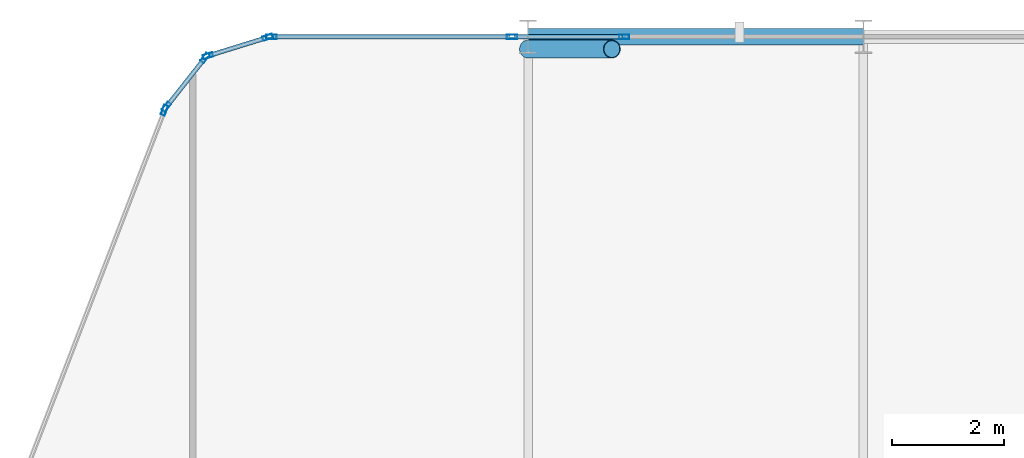
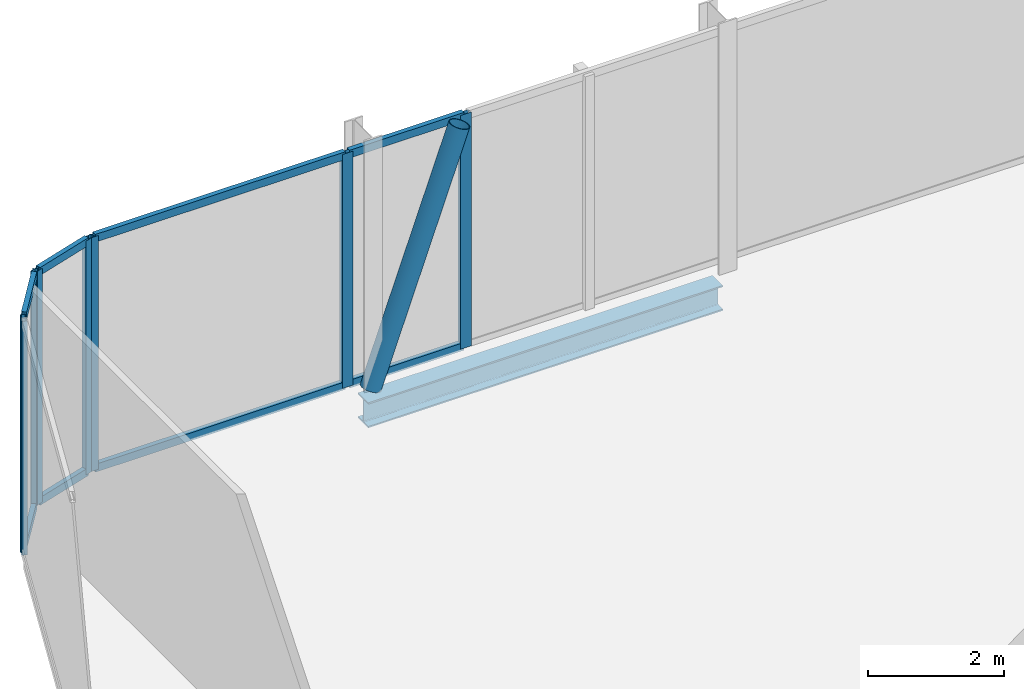
# One storey, part 16 of 31: 17 members, 1 beam, 5 elements without a shape of their own.
"""IFC4 building model written with IfcOpenShell, lengths in metres."""

from ifc_helpers import new_model, si_unit, direction, frame, origin, origin_2d, place, context, subcontext, project, spatial, hollow_rectangle, hollow_circle, i_section, extrude, material, layer, layer_set, material_profile, profile_set, type_object, element, aggregate, save


model = new_model("IFC4")

# Units and contexts
model_context = context("Model", 3, precision=1e-05, world=origin(), true_north=direction((0.0, 1.0)))
body_context = subcontext(model_context, "Body", "Model", "MODEL_VIEW")
ifc_project = project(units=[si_unit("LENGTHUNIT", "METRE"), si_unit("AREAUNIT", "SQUARE_METRE"), si_unit("VOLUMEUNIT", "CUBIC_METRE"), si_unit("PLANEANGLEUNIT", "RADIAN"), si_unit("MASSUNIT", "GRAM", prefix="KILO")], contexts=[model_context])

# Site, building, storey
site_placement = place(None, origin())
site = spatial("IfcSite", under=ifc_project, at=site_placement, CompositionType="ELEMENT")
building_placement = place(site_placement, origin())
building = spatial("IfcBuilding", under=site, at=building_placement, Name="Keshet Zoharim Tower", CompositionType="ELEMENT")
storey_placement = place(building_placement, frame((0.0, 0.0, 125.300048828125)))
storey = spatial("IfcBuildingStorey", under=building, at=storey_placement, Name="L30", CompositionType="ELEMENT", Elevation=125.300048828125)

# Beam
ifc_material_1 = material(Name="Steel S355", Category="steel")
ifc_material_profile_1 = material_profile(ifc_material_1, i_section(OverallWidth=0.300048828125, OverallDepth=0.449951171875, WebThickness=0.013916015625, FlangeThickness=0.02587890625, FilletRadius=0.027099609375, at=origin_2d()), Name="HEB450")
ifc_profile_set_1 = profile_set([ifc_material_profile_1], Name="Steel S355")
beam_type = type_object("IfcBeamType", Name="BM-WEB-HB450", PredefinedType="BEAM", material=ifc_profile_set_1)
beam_placement = place(storey_placement, frame((21.0, 53.89990234375, -0.545166015625), z_axis=(1.0, 0.0, 0.0), x_axis=(0.0, 1.0, 0.0)))
element("IfcBeam", 1, at=beam_placement, inside=storey, type_object=beam_type, Name="L30 Primary Girder X-019", PredefinedType="BEAM", context=body_context, shape_type="SweptSolid", body=[
    extrude(i_section(OverallWidth=0.300048828125, OverallDepth=0.449951171875, WebThickness=0.013916015625, FlangeThickness=0.02587890625, FilletRadius=0.027099609375, at=origin_2d()), origin(), (0.0, 0.0, 1.0), 6.0),
])

# Curtain wall, member
ifc_material_2 = material(Name="Aluminium 6063-T6", Category="aluminium")
ifc_layer = layer(ifc_material_2, 0.14990234375)
ifc_layer_set = layer_set([ifc_layer], Name="Aluminium 6063-T6")
curtain_wall_type = type_object("IfcCurtainWallType", Name="CW-SYS-04", PredefinedType="NOTDEFINED", material=ifc_layer_set)
curtain_wall_1_placement = place(storey_placement, origin())
curtain_wall_1 = element("IfcCurtainWall", 2, at=curtain_wall_1_placement, inside=storey, type_object=curtain_wall_type, Name="L30 Unitised Curtain Wall 16", PredefinedType="NOTDEFINED")
ifc_material_profile_2 = material_profile(ifc_material_2, hollow_rectangle(XDim=0.080078125, YDim=0.179931640625, WallThickness=0.00439453125, at=origin_2d()), Name="MUL-80x180")
ifc_profile_set_2 = profile_set([ifc_material_profile_2], Name="Aluminium 6063-T6")
member_type_1 = type_object("IfcMemberType", Name="CWM-M18", PredefinedType="MULLION", material=ifc_profile_set_2)
member_1_placement = place(storey_placement, frame((14.494384765625, 52.58544921875, 0.0), z_axis=(0.0, 0.0, 1.0), x_axis=(-0.933341404361, 0.358990003907, 0.0)))
member_1 = element("IfcMember", 3, at=member_1_placement, type_object=member_type_1, Name="CW-04 mullion 4", PredefinedType="MULLION", context=body_context, shape_type="SweptSolid", body=[
    extrude(hollow_rectangle(XDim=0.080078125, YDim=0.179931640625, WallThickness=0.00439453125, at=origin_2d()), origin(), (0.0, 0.0, 1.0), 4.18505859375),
])
aggregate(curtain_wall_1, [member_1])

# Curtain wall, members
curtain_wall_2_placement = place(storey_placement, origin())
curtain_wall_2 = element("IfcCurtainWall", 4, at=curtain_wall_2_placement, inside=storey, type_object=curtain_wall_type, Name="L30 Unitised Curtain Wall 17", PredefinedType="NOTDEFINED")
member_2_placement = place(storey_placement, frame((14.528564453125, 52.6455078125, 0.0), z_axis=(0.0, 0.0, 1.0), x_axis=(-0.785292825205, 0.619124525989, 0.0)))
member_2 = element("IfcMember", 5, at=member_2_placement, type_object=member_type_1, Name="CW-04 mullion 1", PredefinedType="MULLION", context=body_context, shape_type="SweptSolid", body=[
    extrude(hollow_rectangle(XDim=0.080078125, YDim=0.179931640625, WallThickness=0.00439453125, at=origin_2d()), origin(), (0.0, 0.0, 1.0), 4.18505859375),
])
member_3_placement = place(storey_placement, frame((15.21923828125, 53.521484375, 0.0), z_axis=(0.0, 0.0, 1.0), x_axis=(-0.785292825205, 0.619124525989, 0.0)))
member_3 = element("IfcMember", 6, at=member_3_placement, type_object=member_type_1, Name="CW-04 mullion 2", PredefinedType="MULLION", context=body_context, shape_type="SweptSolid", body=[
    extrude(hollow_rectangle(XDim=0.080078125, YDim=0.179931640625, WallThickness=0.00439453125, at=origin_2d()), origin(), (0.0, 0.0, 1.0), 4.18505859375),
])

curtain_wall_3_placement = place(storey_placement, origin())
curtain_wall_3 = element("IfcCurtainWall", 7, at=curtain_wall_3_placement, inside=storey, type_object=curtain_wall_type, Name="L30 Unitised Curtain Wall 18", PredefinedType="NOTDEFINED")
member_4_placement = place(storey_placement, frame((15.2744140625, 53.559326171875, 0.0), z_axis=(0.0, 0.0, 1.0), x_axis=(-0.295921857984, 0.955212151288, 0.0)))
member_4 = element("IfcMember", 8, at=member_4_placement, type_object=member_type_1, Name="CW-04 mullion 1", PredefinedType="MULLION", context=body_context, shape_type="SweptSolid", body=[
    extrude(hollow_rectangle(XDim=0.080078125, YDim=0.179931640625, WallThickness=0.00439453125, at=origin_2d()), origin(), (0.0, 0.0, 1.0), 4.18505859375),
])
member_5_placement = place(storey_placement, frame((16.340576171875, 53.8896484375, 0.0), z_axis=(0.0, 0.0, 1.0), x_axis=(-0.295921857984, 0.955212151288, 0.0)))
member_5 = element("IfcMember", 9, at=member_5_placement, type_object=member_type_1, Name="CW-04 mullion 2", PredefinedType="MULLION", context=body_context, shape_type="SweptSolid", body=[
    extrude(hollow_rectangle(XDim=0.080078125, YDim=0.179931640625, WallThickness=0.00439453125, at=origin_2d()), origin(), (0.0, 0.0, 1.0), 4.18505859375),
])

curtain_wall_4_placement = place(storey_placement, origin())
curtain_wall_4 = element("IfcCurtainWall", 10, at=curtain_wall_4_placement, inside=storey, type_object=curtain_wall_type, Name="L30 Unitised Curtain Wall 19", PredefinedType="NOTDEFINED")
member_6_placement = place(storey_placement, frame((16.408935546875, 53.89990234375, 0.0), z_axis=(0.0, 0.0, 1.0), x_axis=(0.0, 1.0, 0.0)))
member_6 = element("IfcMember", 11, at=member_6_placement, type_object=member_type_1, Name="CW-04 mullion 1", PredefinedType="MULLION", context=body_context, shape_type="SweptSolid", body=[
    extrude(hollow_rectangle(XDim=0.080078125, YDim=0.179931640625, WallThickness=0.00439453125, at=origin_2d()), origin(), (0.0, 0.0, 1.0), 4.18505859375),
])
member_7_placement = place(storey_placement, frame((20.71240234375, 53.89990234375, 0.0), z_axis=(0.0, 0.0, 1.0), x_axis=(0.0, 1.0, 0.0)))
member_7 = element("IfcMember", 12, at=member_7_placement, type_object=member_type_1, Name="CW-04 mullion 2", PredefinedType="MULLION", context=body_context, shape_type="SweptSolid", body=[
    extrude(hollow_rectangle(XDim=0.080078125, YDim=0.179931640625, WallThickness=0.00439453125, at=origin_2d()), origin(), (0.0, 0.0, 1.0), 4.18505859375),
])

# Curtain wall, member
curtain_wall_5_placement = place(storey_placement, origin())
curtain_wall_5 = element("IfcCurtainWall", 13, at=curtain_wall_5_placement, inside=storey, type_object=curtain_wall_type, Name="L30 Unitised Curtain Wall 19 Part 2", PredefinedType="NOTDEFINED")
member_8_placement = place(storey_placement, frame((22.717529296875, 53.89990234375, 0.0), z_axis=(0.0, 0.0, 1.0), x_axis=(0.0, 1.0, 0.0)))
member_8 = element("IfcMember", 14, at=member_8_placement, type_object=member_type_1, Name="CW-04 mullion 2", PredefinedType="MULLION", context=body_context, shape_type="SweptSolid", body=[
    extrude(hollow_rectangle(XDim=0.080078125, YDim=0.179931640625, WallThickness=0.00439453125, at=origin_2d()), origin(), (0.0, 0.0, 1.0), 4.18505859375),
])

# Member
ifc_material_profile_3 = material_profile(ifc_material_2, hollow_rectangle(XDim=0.080078125, YDim=0.139892578125, WallThickness=0.00390625, at=origin_2d()), Name="TRN-80x140")
ifc_profile_set_3 = profile_set([ifc_material_profile_3], Name="Aluminium 6063-T6")
member_type_2 = type_object("IfcMemberType", Name="CWT-T14", PredefinedType="USERDEFINED", material=ifc_profile_set_3)
member_9_placement = place(storey_placement, frame((14.55029296875, 52.6728515625, 0.034912109375), z_axis=(0.619099165969, 0.78531281837, 0.0), x_axis=(-0.78531281837, 0.619099165969, 0.0)))
member_9 = element("IfcMember", 15, at=member_9_placement, type_object=member_type_2, Name="CW-04 transom 1.1", ObjectType="TRANSOM", PredefinedType="USERDEFINED", context=body_context, shape_type="SweptSolid", body=[
    extrude(hollow_rectangle(XDim=0.080078125, YDim=0.139892578125, WallThickness=0.00390625, at=origin_2d()), origin(), (0.0, 0.0, 1.0), 1.0458984375),
])

member_10_placement = place(storey_placement, frame((14.55029296875, 52.6728515625, 4.14990234375), z_axis=(0.619099165969, 0.78531281837, 0.0), x_axis=(-0.78531281837, 0.619099165969, 0.0)))
member_10 = element("IfcMember", 16, at=member_10_placement, type_object=member_type_2, Name="CW-04 transom 1.2", ObjectType="TRANSOM", PredefinedType="USERDEFINED", context=body_context, shape_type="SweptSolid", body=[
    extrude(hollow_rectangle(XDim=0.080078125, YDim=0.139892578125, WallThickness=0.00390625, at=origin_2d()), origin(), (0.0, 0.0, 1.0), 1.0458984375),
])

aggregate(curtain_wall_2, [member_2, member_3, member_9, member_10])

member_11_placement = place(storey_placement, frame((15.307861328125, 53.56982421875, 0.034912109375), z_axis=(0.955212093062, 0.295922045933, 0.0), x_axis=(-0.295922045933, 0.955212093062, 0.0)))
member_11 = element("IfcMember", 17, at=member_11_placement, type_object=member_type_2, Name="CW-04 transom 1.1", ObjectType="TRANSOM", PredefinedType="USERDEFINED", context=body_context, shape_type="SweptSolid", body=[
    extrude(hollow_rectangle(XDim=0.080078125, YDim=0.139892578125, WallThickness=0.00390625, at=origin_2d()), origin(), (0.0, 0.0, 1.0), 1.046142578125),
])

member_12_placement = place(storey_placement, frame((15.307861328125, 53.56982421875, 4.14990234375), z_axis=(0.955212093062, 0.295922045933, 0.0), x_axis=(-0.295922045933, 0.955212093062, 0.0)))
member_12 = element("IfcMember", 18, at=member_12_placement, type_object=member_type_2, Name="CW-04 transom 1.2", ObjectType="TRANSOM", PredefinedType="USERDEFINED", context=body_context, shape_type="SweptSolid", body=[
    extrude(hollow_rectangle(XDim=0.080078125, YDim=0.139892578125, WallThickness=0.00390625, at=origin_2d()), origin(), (0.0, 0.0, 1.0), 1.046142578125),
])

aggregate(curtain_wall_3, [member_4, member_5, member_11, member_12])

member_13_placement = place(storey_placement, frame((16.444091796875, 53.89990234375, 0.034912109375), z_axis=(1.0, 0.0, 0.0), x_axis=(0.0, 1.0, 0.0)))
member_13 = element("IfcMember", 19, at=member_13_placement, type_object=member_type_2, Name="CW-04 transom 1.1", ObjectType="TRANSOM", PredefinedType="USERDEFINED", context=body_context, shape_type="SweptSolid", body=[
    extrude(hollow_rectangle(XDim=0.080078125, YDim=0.139892578125, WallThickness=0.00390625, at=origin_2d()), origin(), (0.0, 0.0, 1.0), 4.2333984375),
])

member_14_placement = place(storey_placement, frame((16.444091796875, 53.89990234375, 4.14990234375), z_axis=(1.0, 0.0, 0.0), x_axis=(0.0, 1.0, 0.0)))
member_14 = element("IfcMember", 20, at=member_14_placement, type_object=member_type_2, Name="CW-04 transom 1.2", ObjectType="TRANSOM", PredefinedType="USERDEFINED", context=body_context, shape_type="SweptSolid", body=[
    extrude(hollow_rectangle(XDim=0.080078125, YDim=0.139892578125, WallThickness=0.00390625, at=origin_2d()), origin(), (0.0, 0.0, 1.0), 4.2333984375),
])

aggregate(curtain_wall_4, [member_6, member_7, member_13, member_14])

member_15_placement = place(storey_placement, frame((20.74755859375, 53.89990234375, 0.034912109375), z_axis=(1.0, 0.0, 0.0), x_axis=(0.0, 1.0, 0.0)))
member_15 = element("IfcMember", 21, at=member_15_placement, type_object=member_type_2, Name="CW-04 transom 1.1", ObjectType="TRANSOM", PredefinedType="USERDEFINED", context=body_context, shape_type="SweptSolid", body=[
    extrude(hollow_rectangle(XDim=0.080078125, YDim=0.139892578125, WallThickness=0.00390625, at=origin_2d()), origin(), (0.0, 0.0, 1.0), 1.93505859375),
])

member_16_placement = place(storey_placement, frame((20.74755859375, 53.89990234375, 4.14990234375), z_axis=(1.0, 0.0, 0.0), x_axis=(0.0, 1.0, 0.0)))
member_16 = element("IfcMember", 22, at=member_16_placement, type_object=member_type_2, Name="CW-04 transom 1.2", ObjectType="TRANSOM", PredefinedType="USERDEFINED", context=body_context, shape_type="SweptSolid", body=[
    extrude(hollow_rectangle(XDim=0.080078125, YDim=0.139892578125, WallThickness=0.00390625, at=origin_2d()), origin(), (0.0, 0.0, 1.0), 1.93505859375),
])

aggregate(curtain_wall_5, [member_8, member_15, member_16])

ifc_material_profile_4 = material_profile(ifc_material_1, hollow_circle(Radius=0.161865234375, WallThickness=0.012451171875, at=origin_2d()), Name="CHS323x12.5")
ifc_profile_set_4 = profile_set([ifc_material_profile_4], Name="Steel S355")
member_type_3 = type_object("IfcMemberType", Name="MB-BR-C323", PredefinedType="BRACE", material=ifc_profile_set_4)
member_17_placement = place(storey_placement, frame((21.0, 53.679931640625, 0.0), z_axis=(0.337400697546, 0.0, 0.941361125868), x_axis=(0.0, 1.0, 0.0)))
element("IfcMember", 23, at=member_17_placement, inside=storey, type_object=member_type_3, Name="L30 Perimeter Tube Brace 02", PredefinedType="BRACE", context=body_context, shape_type="SweptSolid", body=[
    extrude(hollow_circle(Radius=0.161865234375, WallThickness=0.012451171875, at=origin_2d()), origin(), (0.0, 0.0, 1.0), 4.44580078125),
])

save(model, "model.ifc")
